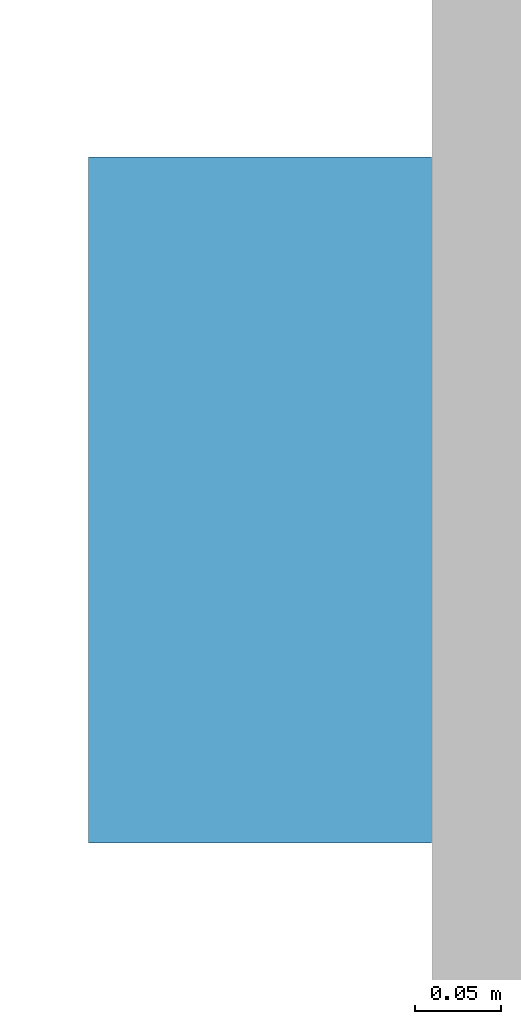
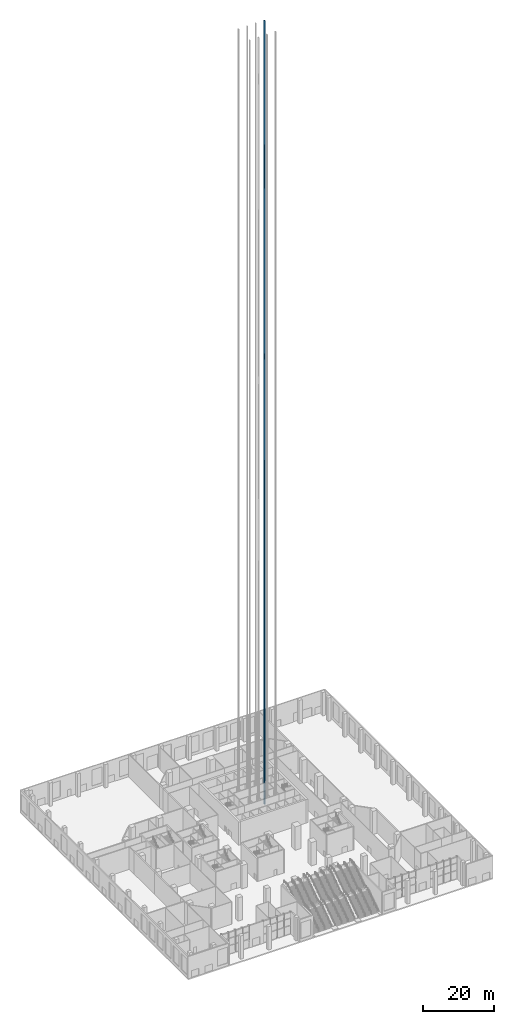
# One storey, part 28 of 32: 1 discrete accessory.
"""IFC4 building model written with IfcOpenShell, lengths in metres."""

from ifc_helpers import new_model, si_unit, direction, frame, origin, origin_2d, place, context, subcontext, project, spatial, rectangle, extrude, material, element, save


model = new_model("IFC4")

# Units and contexts
model_context = context("Model", 3, precision=1e-05, world=origin(), true_north=direction((0.0, 1.0)))
body_context = subcontext(model_context, "Body", "Model", "MODEL_VIEW")
ifc_project = project(units=[si_unit("LENGTHUNIT", "METRE"), si_unit("AREAUNIT", "SQUARE_METRE"), si_unit("VOLUMEUNIT", "CUBIC_METRE"), si_unit("PLANEANGLEUNIT", "RADIAN"), si_unit("MASSUNIT", "GRAM", prefix="KILO")], contexts=[model_context])

# Site, building, storey
site_placement = place(None, origin())
site = spatial("IfcSite", under=ifc_project, at=site_placement, CompositionType="ELEMENT")
building_placement = place(site_placement, origin())
building = spatial("IfcBuilding", under=site, at=building_placement, Name="Quoin Convention Tower", CompositionType="ELEMENT")
storey_placement = place(building_placement, origin())
storey = spatial("IfcBuildingStorey", under=building, at=storey_placement, Name="L00", CompositionType="ELEMENT", Elevation=0.0)

# Discrete accessory
ifc_material = material(Name="Galvanised steel", Category="steel")
discrete_accessory_placement = place(storey_placement, frame((61.64990234375, 63.89990234375, -0.35009765625), z_axis=(0.0, 0.0, 1.0), x_axis=(1.0, 0.0, 0.0)))
element("IfcDiscreteAccessory", 1, at=discrete_accessory_placement, inside=storey, material=ifc_material, Name="LIFT GUIDE RAILS H8", ObjectType="Lift guide rails", PredefinedType="USERDEFINED", context=body_context, shape_type="SweptSolid", body=[
    extrude(rectangle(XDim=0.199951171875, YDim=0.39990234375, at=origin_2d()), origin(), (0.0, 0.0, 1.0), 268.800048828125),
])

save(model, "model.ifc")
